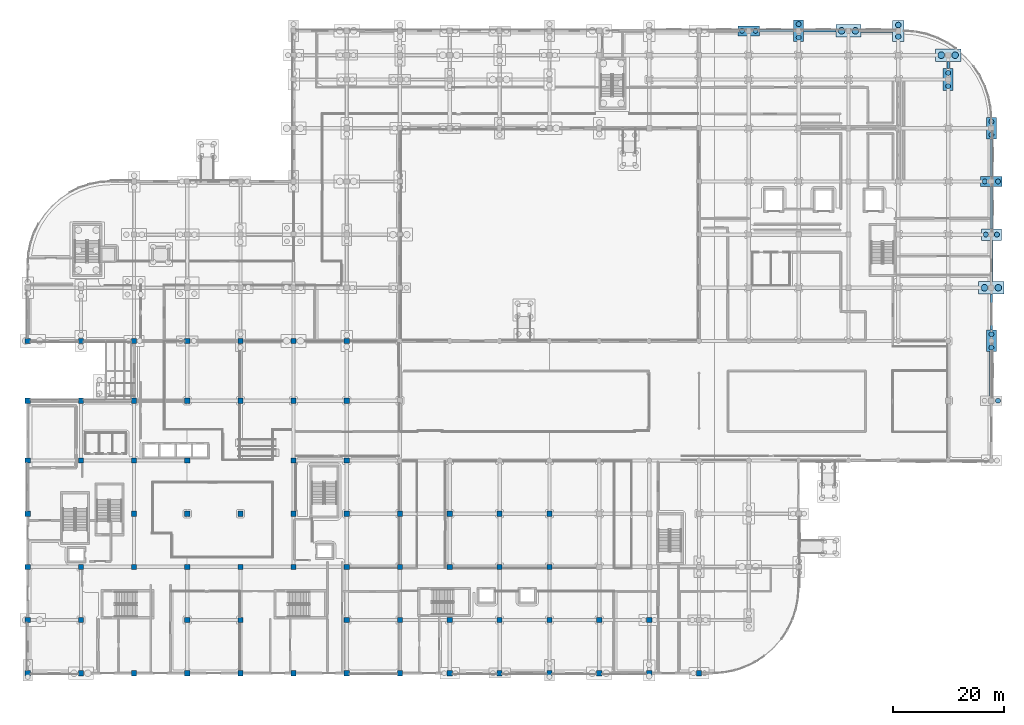
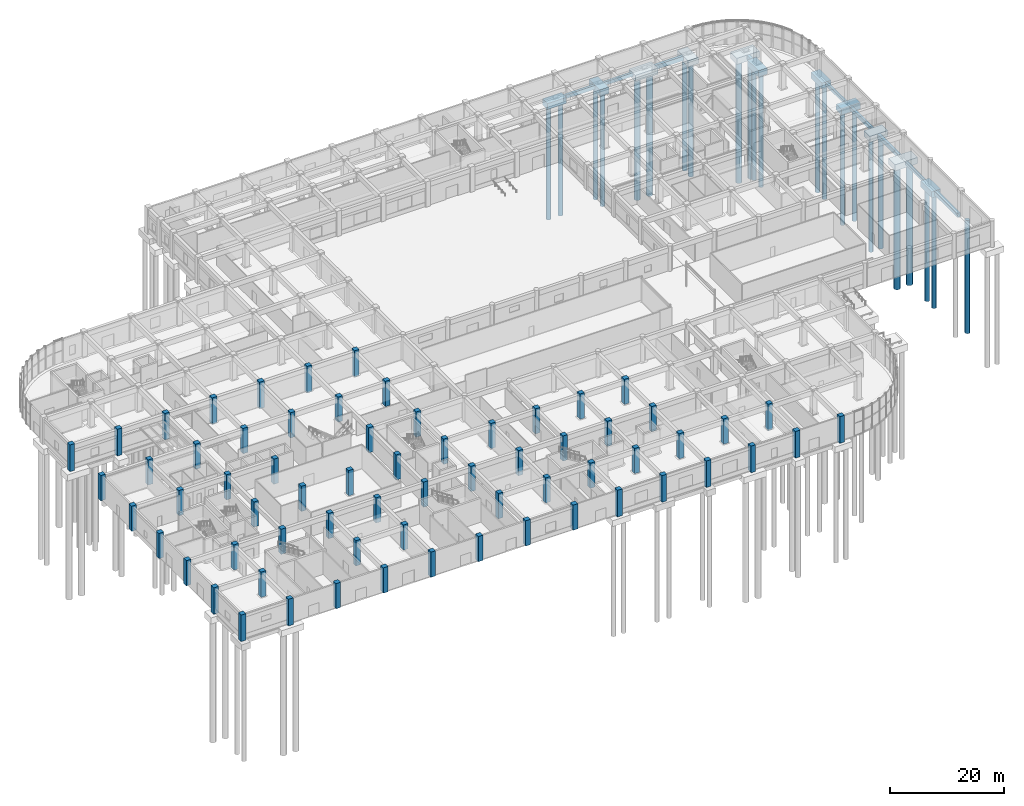
# One storey, part 5 of 74: 66 columns, 23 piles, 20 footings.
"""IFC4 building model written with IfcOpenShell, lengths in metres."""

from ifc_helpers import new_model, si_unit, direction, frame, origin, origin_2d, place, context, subcontext, project, spatial, rectangle, circle, extrude, material, material_profile, profile_set, type_object, element, save


model = new_model("IFC4")

# Units and contexts
model_context = context("Model", 3, precision=1e-05, world=origin(), true_north=direction((0.0, 1.0)))
body_context = subcontext(model_context, "Body", "Model", "MODEL_VIEW")
ifc_project = project(units=[si_unit("LENGTHUNIT", "METRE"), si_unit("AREAUNIT", "SQUARE_METRE"), si_unit("VOLUMEUNIT", "CUBIC_METRE"), si_unit("PLANEANGLEUNIT", "RADIAN"), si_unit("MASSUNIT", "GRAM", prefix="KILO")], contexts=[model_context])

# Site, building, storey
site_placement = place(None, origin())
site = spatial("IfcSite", under=ifc_project, at=site_placement, CompositionType="ELEMENT")
building_placement = place(site_placement, origin())
building = spatial("IfcBuilding", under=site, at=building_placement, Name="Cendralis Terraced Arcade", CompositionType="ELEMENT")
storey_placement = place(building_placement, origin())
storey = spatial("IfcBuildingStorey", under=building, at=storey_placement, Name="L00", CompositionType="ELEMENT", Elevation=0.0)

# Footings
ifc_material_1 = material(Name="Concrete f'c 35 MPa", Category="concrete")
ifc_material_profile_1 = material_profile(ifc_material_1, rectangle(XDim=0.39990234375, YDim=0.699951171875, at=origin_2d()), Name="FB-400x700", Category="LoadBearing")
ifc_profile_set_1 = profile_set([ifc_material_profile_1], Name="Concrete f'c 35 MPa")
footing_type_1 = type_object("IfcFootingType", Name="FB-400x700", PredefinedType="FOOTING_BEAM", material=ifc_profile_set_1)
footing_1_placement = place(storey_placement, frame((174.0, 61.949951171875, -0.64990234375), z_axis=(0.0, 1.0, 0.0), x_axis=(-1.0, 0.0, 0.0)))
element("IfcFooting", 1, at=footing_1_placement, inside=storey, type_object=footing_type_1, Name="Reinforced Concrete Foundation Tie Beam FB-Y-0279", PredefinedType="FOOTING_BEAM", context=body_context, shape_type="SweptSolid", body=[
    extrude(rectangle(XDim=0.39990234375, YDim=0.699951171875, at=origin_2d()), origin(), (0.0, 0.0, 1.0), 6.5),
])
ifc_material_profile_2 = material_profile(ifc_material_1, rectangle(XDim=0.449951171875, YDim=0.75, at=origin_2d()), Name="FB-450x750", Category="LoadBearing")
ifc_profile_set_2 = profile_set([ifc_material_profile_2], Name="Concrete f'c 35 MPa")
footing_type_2 = type_object("IfcFootingType", Name="FB-450x750", PredefinedType="FOOTING_BEAM", material=ifc_profile_set_2)
footing_2_placement = place(storey_placement, frame((140.10009765625, 116.0, -0.675048828125), z_axis=(1.0, 0.0, 0.0), x_axis=(0.0, 1.0, 0.0)))
element("IfcFooting", 2, at=footing_2_placement, inside=storey, type_object=footing_type_2, Name="Reinforced Concrete Foundation Tie Beam FB-X-0152", PredefinedType="FOOTING_BEAM", context=body_context, shape_type="SweptSolid", body=[
    extrude(rectangle(XDim=0.449951171875, YDim=0.75, at=origin_2d()), origin(), (0.0, 0.0, 1.0), 5.81982421875),
])
footing_3_placement = place(storey_placement, frame((174.0, 89.699951171875, -0.675048828125), z_axis=(0.0, 1.0, 0.0), x_axis=(-1.0, 0.0, 0.0)))
element("IfcFooting", 3, at=footing_3_placement, inside=storey, type_object=footing_type_2, Name="Reinforced Concrete Foundation Tie Beam FB-Y-0282", PredefinedType="FOOTING_BEAM", context=body_context, shape_type="SweptSolid", body=[
    extrude(rectangle(XDim=0.449951171875, YDim=0.75, at=origin_2d()), origin(), (0.0, 0.0, 1.0), 6.75),
])
ifc_material_profile_3 = material_profile(ifc_material_1, rectangle(XDim=0.5, YDim=0.800048828125, at=origin_2d()), Name="FB-500x800", Category="LoadBearing")
ifc_profile_set_3 = profile_set([ifc_material_profile_3], Name="Concrete f'c 35 MPa")
footing_type_3 = type_object("IfcFootingType", Name="FB-500x800", PredefinedType="FOOTING_BEAM", material=ifc_profile_set_3)
footing_4_placement = place(storey_placement, frame((132.14990234375, 116.0, -0.699951171875), z_axis=(1.0, 0.0, 0.0), x_axis=(0.0, 1.0, 0.0)))
element("IfcFooting", 4, at=footing_4_placement, inside=storey, type_object=footing_type_3, Name="Reinforced Concrete Foundation Tie Beam FB-X-0151", PredefinedType="FOOTING_BEAM", context=body_context, shape_type="SweptSolid", body=[
    extrude(rectangle(XDim=0.5, YDim=0.800048828125, at=origin_2d()), origin(), (0.0, 0.0, 1.0), 6.150146484375),
])
footing_5_placement = place(storey_placement, frame((166.199951171875, 109.14990234375, -0.699951171875), z_axis=(0.0, 1.0, 0.0), x_axis=(-1.0, 0.0, 0.0)))
element("IfcFooting", 5, at=footing_5_placement, inside=storey, type_object=footing_type_3, Name="Reinforced Concrete Foundation Tie Beam FB-Y-0276", PredefinedType="FOOTING_BEAM", context=body_context, shape_type="SweptSolid", body=[
    extrude(rectangle(XDim=0.5, YDim=0.800048828125, at=origin_2d()), origin(), (0.0, 0.0, 1.0), 1.300048828125),
])
footing_6_placement = place(storey_placement, frame((174.0, 80.22509765625, -0.699951171875), z_axis=(0.0, 1.0, 0.0), x_axis=(-1.0, 0.0, 0.0)))
element("IfcFooting", 6, at=footing_6_placement, inside=storey, type_object=footing_type_3, Name="Reinforced Concrete Foundation Tie Beam FB-Y-0281", PredefinedType="FOOTING_BEAM", context=body_context, shape_type="SweptSolid", body=[
    extrude(rectangle(XDim=0.5, YDim=0.800048828125, at=origin_2d()), origin(), (0.0, 0.0, 1.0), 7.6748046875),
])
ifc_material_profile_4 = material_profile(ifc_material_1, rectangle(XDim=0.550048828125, YDim=0.85009765625, at=origin_2d()), Name="FB-550x850", Category="LoadBearing")
ifc_profile_set_4 = profile_set([ifc_material_profile_4], Name="Concrete f'c 35 MPa")
footing_type_4 = type_object("IfcFootingType", Name="FB-550x850", PredefinedType="FOOTING_BEAM", material=ifc_profile_set_4)
footing_7_placement = place(storey_placement, frame((174.0, 70.75, -0.72509765625), z_axis=(0.0, 1.0, 0.0), x_axis=(-1.0, 0.0, 0.0)))
element("IfcFooting", 7, at=footing_7_placement, inside=storey, type_object=footing_type_4, Name="Reinforced Concrete Foundation Tie Beam FB-Y-0280", PredefinedType="FOOTING_BEAM", context=body_context, shape_type="SweptSolid", body=[
    extrude(rectangle(XDim=0.550048828125, YDim=0.85009765625, at=origin_2d()), origin(), (0.0, 0.0, 1.0), 7.425048828125),
])
ifc_material_profile_5 = material_profile(ifc_material_1, rectangle(XDim=0.60009765625, YDim=0.89990234375, at=origin_2d()), Name="FB-600x900", Category="LoadBearing")
ifc_profile_set_5 = profile_set([ifc_material_profile_5], Name="Concrete f'c 35 MPa")
footing_type_5 = type_object("IfcFootingType", Name="FB-600x900", PredefinedType="FOOTING_BEAM", material=ifc_profile_set_5)
footing_8_placement = place(storey_placement, frame((150.47998046875, 116.0, -0.75), z_axis=(1.0, 0.0, 0.0), x_axis=(0.0, 1.0, 0.0)))
element("IfcFooting", 8, at=footing_8_placement, inside=storey, type_object=footing_type_5, Name="Reinforced Concrete Foundation Tie Beam FB-X-0153", PredefinedType="FOOTING_BEAM", context=body_context, shape_type="SweptSolid", body=[
    extrude(rectangle(XDim=0.60009765625, YDim=0.89990234375, at=origin_2d()), origin(), (0.0, 0.0, 1.0), 5.695068359375),
])
footing_9_placement = place(storey_placement, frame((174.0, 50.10009765625, -0.75), z_axis=(0.0, 1.0, 0.0), x_axis=(-1.0, 0.0, 0.0)))
element("IfcFooting", 9, at=footing_9_placement, inside=storey, type_object=footing_type_5, Name="Reinforced Concrete Foundation Tie Beam FB-Y-0278", PredefinedType="FOOTING_BEAM", context=body_context, shape_type="SweptSolid", body=[
    extrude(rectangle(XDim=0.60009765625, YDim=0.89990234375, at=origin_2d()), origin(), (0.0, 0.0, 1.0), 7.949951171875),
])
footing_type_6 = type_object("IfcFootingType", Name="PC-2P-1800x3900x1300", PredefinedType="PILE_CAP", material=ifc_material_1)
for number, where, z_axis, x_axis, name in (
    (10, (139.199951171875, 116.0, -1.60009765625), (0.0, 0.0, 1.0), (1.0, 0.0, 0.0), "Reinforced Concrete Bored Pile Cap CAP-G16-P"),
    (11, (166.199951171875, 107.199951171875, -1.60009765625), (0.0, 0.0, 1.0), (1.0, 0.0, 0.0), "Reinforced Concrete Bored Pile Cap CAP-G19-M"),
    (12, (174.0, 60.0, -1.60009765625), (0.0, 0.0, 1.0), (1.0, 0.0, 0.0), "Reinforced Concrete Bored Pile Cap CAP-G20-G"),
    (13, (174.0, 98.39990234375, -1.60009765625), (0.0, 0.0, 1.0), (1.0, 0.0, 0.0), "Reinforced Concrete Bored Pile Cap CAP-G20-L"),
):
    element("IfcFooting", number, at=place(storey_placement, frame(where, z_axis=z_axis, x_axis=x_axis)), inside=storey, type_object=footing_type_6, Name=name, PredefinedType="PILE_CAP", context=body_context, shape_type="SweptSolid", body=[
        extrude(rectangle(XDim=1.800048828125, YDim=3.89990234375, at=origin_2d()), origin(), (0.0, 0.0, 1.0), 1.300048828125),
    ])
footing_type_7 = type_object("IfcFootingType", Name="PC-2P-2050x3800x1280", PredefinedType="PILE_CAP", material=ifc_material_1)
footing_10_placement = place(storey_placement, frame((157.199951171875, 116.0, -1.580078125), z_axis=(0.0, 0.0, 1.0), x_axis=(1.0, 0.0, 0.0)))
element("IfcFooting", 14, at=footing_10_placement, inside=storey, type_object=footing_type_7, Name="Reinforced Concrete Bored Pile Cap CAP-G18-P", PredefinedType="PILE_CAP", context=body_context, shape_type="SweptSolid", body=[
    extrude(rectangle(XDim=2.050048828125, YDim=3.800048828125, at=origin_2d()), origin(), (0.0, 0.0, 1.0), 1.280029296875),
])
footing_type_8 = type_object("IfcFootingType", Name="PC-2P-3600x2050x1260", PredefinedType="PILE_CAP", material=ifc_material_1)
footing_11_placement = place(storey_placement, frame((174.0, 79.199951171875, -1.56005859375), z_axis=(0.0, 0.0, 1.0), x_axis=(1.0, 0.0, 0.0)))
element("IfcFooting", 15, at=footing_11_placement, inside=storey, type_object=footing_type_8, Name="Reinforced Concrete Bored Pile Cap CAP-G20-J", PredefinedType="PILE_CAP", context=body_context, shape_type="SweptSolid", body=[
    extrude(rectangle(XDim=3.60009765625, YDim=2.050048828125, at=origin_2d()), origin(), (0.0, 0.0, 1.0), 1.260009765625),
])
footing_type_9 = type_object("IfcFootingType", Name="PC-2P-3900x1800x1300", PredefinedType="PILE_CAP", material=ifc_material_1)
for number, where, z_axis, x_axis, name in (
    (16, (130.199951171875, 116.0, -1.60009765625), (0.0, 0.0, 1.0), (1.0, 0.0, 0.0), "Reinforced Concrete Bored Pile Cap CAP-G15-P"),
    (17, (174.0, 88.800048828125, -1.60009765625), (0.0, 0.0, 1.0), (1.0, 0.0, 0.0), "Reinforced Concrete Bored Pile Cap CAP-G20-K"),
):
    element("IfcFooting", number, at=place(storey_placement, frame(where, z_axis=z_axis, x_axis=x_axis)), inside=storey, type_object=footing_type_9, Name=name, PredefinedType="PILE_CAP", context=body_context, shape_type="SweptSolid", body=[
        extrude(rectangle(XDim=3.89990234375, YDim=1.800048828125, at=origin_2d()), origin(), (0.0, 0.0, 1.0), 1.300048828125),
    ])
footing_type_10 = type_object("IfcFootingType", Name="PC-2P-4560x2300x1320", PredefinedType="PILE_CAP", material=ifc_material_1)
for number, where, z_axis, x_axis, name in (
    (18, (148.199951171875, 116.0, -1.6201171875), (0.0, 0.0, 1.0), (1.0, 0.0, 0.0), "Reinforced Concrete Bored Pile Cap CAP-G17-P"),
    (19, (166.199951171875, 111.60009765625, -1.6201171875), (0.0, 0.0, 1.0), (1.0, 0.0, 0.0), "Reinforced Concrete Bored Pile Cap CAP-G19-N"),
    (20, (174.0, 69.60009765625, -1.6201171875), (0.0, 0.0, 1.0), (1.0, 0.0, 0.0), "Reinforced Concrete Bored Pile Cap CAP-G20-H"),
):
    element("IfcFooting", number, at=place(storey_placement, frame(where, z_axis=z_axis, x_axis=x_axis)), inside=storey, type_object=footing_type_10, Name=name, PredefinedType="PILE_CAP", context=body_context, shape_type="SweptSolid", body=[
        extrude(rectangle(XDim=4.56005859375, YDim=2.300048828125, at=origin_2d()), origin(), (0.0, 0.0, 1.0), 1.320068359375),
    ])

# Piles
ifc_material_profile_6 = material_profile(ifc_material_1, circle(Radius=0.5, at=origin_2d()), Name="PILE-D1000", Category="LoadBearing")
ifc_profile_set_6 = profile_set([ifc_material_profile_6], Name="Concrete f'c 35 MPa")
pile_type_1 = type_object("IfcPileType", Name="PILE-1000", PredefinedType="BORED", material=ifc_profile_set_6)
for number, where, z_axis, x_axis, name in (
    (21, (157.199951171875, 114.949951171875, -1.47998046875), (0.0, 0.0, -1.0), (1.0, 0.0, 0.0), "Bored Concrete Pile PILE-C-CAP-G18-P-1-0_-105"),
    (22, (157.199951171875, 117.050048828125, -1.47998046875), (0.0, 0.0, -1.0), (1.0, 0.0, 0.0), "Bored Concrete Pile PILE-B-CAP-G18-P-1"),
):
    element("IfcPile", number, at=place(storey_placement, frame(where, z_axis=z_axis, x_axis=x_axis)), inside=storey, type_object=pile_type_1, Name=name, PredefinedType="BORED", context=body_context, shape_type="SweptSolid", body=[
        extrude(circle(Radius=0.5, at=origin_2d()), origin(), (0.0, 0.0, 1.0), 24.219970703125),
    ])
ifc_material_profile_7 = material_profile(ifc_material_1, circle(Radius=0.60009765625, at=origin_2d()), Name="PILE-D1200", Category="LoadBearing")
ifc_profile_set_7 = profile_set([ifc_material_profile_7], Name="Concrete f'c 35 MPa")
pile_type_2 = type_object("IfcPileType", Name="PILE-1200", PredefinedType="BORED", material=ifc_profile_set_7)
for number, where, z_axis, x_axis, name in (
    (23, (146.949951171875, 116.0, -1.52001953125), (0.0, 0.0, -1.0), (1.0, 0.0, 0.0), "Bored Concrete Pile PILE-C-CAP-G17-P-1--125_0"),
    (24, (149.449951171875, 116.0, -1.52001953125), (0.0, 0.0, -1.0), (1.0, 0.0, 0.0), "Bored Concrete Pile PILE-B-CAP-G17-P-1"),
    (25, (164.949951171875, 111.60009765625, -1.52001953125), (0.0, 0.0, -1.0), (1.0, 0.0, 0.0), "Bored Concrete Pile PILE-C-CAP-G19-N-1--125_0"),
    (26, (167.449951171875, 111.60009765625, -1.52001953125), (0.0, 0.0, -1.0), (1.0, 0.0, 0.0), "Bored Concrete Pile PILE-B-CAP-G19-N-1"),
    (27, (172.75, 69.60009765625, -1.52001953125), (0.0, 0.0, -1.0), (1.0, 0.0, 0.0), "Bored Concrete Pile PILE-C-CAP-G20-H-1--125_0"),
    (28, (175.25, 69.60009765625, -1.52001953125), (0.0, 0.0, -1.0), (1.0, 0.0, 0.0), "Bored Concrete Pile PILE-B-CAP-G20-H-1"),
):
    element("IfcPile", number, at=place(storey_placement, frame(where, z_axis=z_axis, x_axis=x_axis)), inside=storey, type_object=pile_type_2, Name=name, PredefinedType="BORED", context=body_context, shape_type="SweptSolid", body=[
        extrude(circle(Radius=0.60009765625, at=origin_2d()), origin(), (0.0, 0.0, 1.0), 26.179931640625),
    ])
ifc_material_profile_8 = material_profile(ifc_material_1, circle(Radius=0.449951171875, at=origin_2d()), Name="PILE-D900", Category="LoadBearing")
ifc_profile_set_8 = profile_set([ifc_material_profile_8], Name="Concrete f'c 35 MPa")
pile_type_3 = type_object("IfcPileType", Name="PILE-900", PredefinedType="BORED", material=ifc_profile_set_8)
for number, where, z_axis, x_axis, name in (
    (29, (129.0, 116.0, -1.5), (0.0, 0.0, -1.0), (1.0, 0.0, 0.0), "Bored Concrete Pile PILE-C-CAP-G15-P-2--120_0"),
    (30, (131.39990234375, 116.0, -1.5), (0.0, 0.0, -1.0), (1.0, 0.0, 0.0), "Bored Concrete Pile PILE-C-CAP-G15-P-2-120_0"),
    (31, (139.199951171875, 114.800048828125, -1.5), (0.0, 0.0, -1.0), (1.0, 0.0, 0.0), "Bored Concrete Pile PILE-C-CAP-G16-P-2-0_-120"),
    (32, (139.199951171875, 117.199951171875, -1.5), (0.0, 0.0, -1.0), (1.0, 0.0, 0.0), "Bored Concrete Pile PILE-C-CAP-G16-P-2-0_120"),
    (33, (166.199951171875, 106.0, -1.5), (0.0, 0.0, -1.0), (1.0, 0.0, 0.0), "Bored Concrete Pile PILE-C-CAP-G19-M-2-0_-120"),
    (34, (166.199951171875, 108.39990234375, -1.5), (0.0, 0.0, -1.0), (1.0, 0.0, 0.0), "Bored Concrete Pile PILE-C-CAP-G19-M-2-0_120"),
    (35, (175.199951171875, 49.199951171875, -1.5), (0.0, 0.0, -1.0), (1.0, 0.0, 0.0), "Bored Concrete Pile PILE-C-CAP-G20-F-2-120_0"),
    (36, (174.0, 58.800048828125, -1.5), (0.0, 0.0, -1.0), (1.0, 0.0, 0.0), "Bored Concrete Pile PILE-C-CAP-G20-G-2-0_-120"),
    (37, (174.0, 61.199951171875, -1.5), (0.0, 0.0, -1.0), (1.0, 0.0, 0.0), "Bored Concrete Pile PILE-C-CAP-G20-G-2-0_120"),
):
    element("IfcPile", number, at=place(storey_placement, frame(where, z_axis=z_axis, x_axis=x_axis)), inside=storey, type_object=pile_type_3, Name=name, PredefinedType="BORED", context=body_context, shape_type="SweptSolid", body=[
        extrude(circle(Radius=0.449951171875, at=origin_2d()), origin(), (0.0, 0.0, 1.0), 24.199951171875),
    ])
for number, where, z_axis, x_axis, name in (
    (38, (173.0, 79.199951171875, -1.4599609375), (0.0, 0.0, -1.0), (1.0, 0.0, 0.0), "Bored Concrete Pile PILE-C-CAP-G20-J-1--100_0"),
    (39, (175.0, 79.199951171875, -1.4599609375), (0.0, 0.0, -1.0), (1.0, 0.0, 0.0), "Bored Concrete Pile PILE-B-CAP-G20-J-1"),
):
    element("IfcPile", number, at=place(storey_placement, frame(where, z_axis=z_axis, x_axis=x_axis)), inside=storey, type_object=pile_type_3, Name=name, PredefinedType="BORED", context=body_context, shape_type="SweptSolid", body=[
        extrude(circle(Radius=0.449951171875, at=origin_2d()), origin(), (0.0, 0.0, 1.0), 24.239990234375),
    ])
for number, where, z_axis, x_axis, name in (
    (40, (172.800048828125, 88.800048828125, -1.5), (0.0, 0.0, -1.0), (1.0, 0.0, 0.0), "Bored Concrete Pile PILE-C-CAP-G20-K-2--120_0"),
    (41, (175.199951171875, 88.800048828125, -1.5), (0.0, 0.0, -1.0), (1.0, 0.0, 0.0), "Bored Concrete Pile PILE-C-CAP-G20-K-2-120_0"),
    (42, (174.0, 97.199951171875, -1.5), (0.0, 0.0, -1.0), (1.0, 0.0, 0.0), "Bored Concrete Pile PILE-C-CAP-G20-L-2-0_-120"),
    (43, (174.0, 99.60009765625, -1.5), (0.0, 0.0, -1.0), (1.0, 0.0, 0.0), "Bored Concrete Pile PILE-C-CAP-G20-L-2-0_120"),
):
    element("IfcPile", number, at=place(storey_placement, frame(where, z_axis=z_axis, x_axis=x_axis)), inside=storey, type_object=pile_type_3, Name=name, PredefinedType="BORED", context=body_context, shape_type="SweptSolid", body=[
        extrude(circle(Radius=0.449951171875, at=origin_2d()), origin(), (0.0, 0.0, 1.0), 24.199951171875),
    ])

# Columns
ifc_material_2 = material(Name="Concrete f'c 42 MPa", Category="concrete")
ifc_material_profile_9 = material_profile(ifc_material_2, rectangle(XDim=0.949951171875, YDim=0.949951171875, at=origin_2d()), Name="RC-COL-950x950", Category="LoadBearing")
ifc_profile_set_9 = profile_set([ifc_material_profile_9], Name="Concrete f'c 42 MPa")
column_type = type_object("IfcColumnType", Name="COL-950", PredefinedType="COLUMN", material=ifc_profile_set_9)
for number, where, z_axis, x_axis, name in (
    (44, (0.0, 0.0, -0.300048828125), (0.0, 0.0, 1.0), (1.0, 0.0, 0.0), "Reinforced Concrete Column 1-A (L00)"),
    (45, (0.0, 9.60009765625, -0.300048828125), (0.0, 0.0, 1.0), (1.0, 0.0, 0.0), "Reinforced Concrete Column 1-B (L00)"),
):
    element("IfcColumn", number, at=place(storey_placement, frame(where, z_axis=z_axis, x_axis=x_axis)), inside=storey, type_object=column_type, Name=name, PredefinedType="COLUMN", context=body_context, shape_type="SweptSolid", body=[
        extrude(rectangle(XDim=0.949951171875, YDim=0.949951171875, at=origin_2d()), origin(), (0.0, 0.0, 1.0), 5.699951171875),
    ])
for number, where, z_axis, x_axis, name in (
    (46, (0.0, 19.199951171875, 0.0), (0.0, 0.0, 1.0), (1.0, 0.0, 0.0), "Reinforced Concrete Column 1-C (L00)"),
    (47, (0.0, 28.800048828125, 0.0), (0.0, 0.0, 1.0), (1.0, 0.0, 0.0), "Reinforced Concrete Column 1-D (L00)"),
    (48, (0.0, 38.39990234375, 0.0), (0.0, 0.0, 1.0), (1.0, 0.0, 0.0), "Reinforced Concrete Column 1-E (L00)"),
    (49, (0.0, 49.199951171875, 0.0), (0.0, 0.0, 1.0), (1.0, 0.0, 0.0), "Reinforced Concrete Column 1-F (L00)"),
):
    element("IfcColumn", number, at=place(storey_placement, frame(where, z_axis=z_axis, x_axis=x_axis)), inside=storey, type_object=column_type, Name=name, PredefinedType="COLUMN", context=body_context, shape_type="SweptSolid", body=[
        extrude(rectangle(XDim=0.949951171875, YDim=0.949951171875, at=origin_2d()), origin(), (0.0, 0.0, 1.0), 5.39990234375),
    ])
for number, where, z_axis, x_axis, name in (
    (50, (0.0, 60.0, -0.300048828125), (0.0, 0.0, 1.0), (1.0, 0.0, 0.0), "Reinforced Concrete Column 1-G (L00)"),
    (51, (85.199951171875, 0.0, -0.300048828125), (0.0, 0.0, 1.0), (1.0, 0.0, 0.0), "Reinforced Concrete Column 10-A (L00)"),
):
    element("IfcColumn", number, at=place(storey_placement, frame(where, z_axis=z_axis, x_axis=x_axis)), inside=storey, type_object=column_type, Name=name, PredefinedType="COLUMN", context=body_context, shape_type="SweptSolid", body=[
        extrude(rectangle(XDim=0.949951171875, YDim=0.949951171875, at=origin_2d()), origin(), (0.0, 0.0, 1.0), 5.699951171875),
    ])
for number, where, z_axis, x_axis, name in (
    (52, (85.199951171875, 9.60009765625, 0.0), (0.0, 0.0, 1.0), (1.0, 0.0, 0.0), "Reinforced Concrete Column 10-B (L00)"),
    (53, (85.199951171875, 19.199951171875, 0.0), (0.0, 0.0, 1.0), (1.0, 0.0, 0.0), "Reinforced Concrete Column 10-C (L00)"),
    (54, (85.199951171875, 28.800048828125, 0.0), (0.0, 0.0, 1.0), (1.0, 0.0, 0.0), "Reinforced Concrete Column 10-D (L00)"),
):
    element("IfcColumn", number, at=place(storey_placement, frame(where, z_axis=z_axis, x_axis=x_axis)), inside=storey, type_object=column_type, Name=name, PredefinedType="COLUMN", context=body_context, shape_type="SweptSolid", body=[
        extrude(rectangle(XDim=0.949951171875, YDim=0.949951171875, at=origin_2d()), origin(), (0.0, 0.0, 1.0), 5.39990234375),
    ])
column_1_placement = place(storey_placement, frame((94.199951171875, 0.0, -0.300048828125), z_axis=(0.0, 0.0, 1.0), x_axis=(1.0, 0.0, 0.0)))
element("IfcColumn", 55, at=column_1_placement, inside=storey, type_object=column_type, Name="Reinforced Concrete Column 11-A (L00)", PredefinedType="COLUMN", context=body_context, shape_type="SweptSolid", body=[
    extrude(rectangle(XDim=0.949951171875, YDim=0.949951171875, at=origin_2d()), origin(), (0.0, 0.0, 1.0), 5.699951171875),
])
for number, where, z_axis, x_axis, name in (
    (56, (94.199951171875, 9.60009765625, 0.0), (0.0, 0.0, 1.0), (1.0, 0.0, 0.0), "Reinforced Concrete Column 11-B (L00)"),
    (57, (94.199951171875, 19.199951171875, 0.0), (0.0, 0.0, 1.0), (1.0, 0.0, 0.0), "Reinforced Concrete Column 11-C (L00)"),
    (58, (94.199951171875, 28.800048828125, 0.0), (0.0, 0.0, 1.0), (1.0, 0.0, 0.0), "Reinforced Concrete Column 11-D (L00)"),
):
    element("IfcColumn", number, at=place(storey_placement, frame(where, z_axis=z_axis, x_axis=x_axis)), inside=storey, type_object=column_type, Name=name, PredefinedType="COLUMN", context=body_context, shape_type="SweptSolid", body=[
        extrude(rectangle(XDim=0.949951171875, YDim=0.949951171875, at=origin_2d()), origin(), (0.0, 0.0, 1.0), 5.39990234375),
    ])
column_2_placement = place(storey_placement, frame((103.199951171875, 0.0, -0.300048828125), z_axis=(0.0, 0.0, 1.0), x_axis=(1.0, 0.0, 0.0)))
element("IfcColumn", 59, at=column_2_placement, inside=storey, type_object=column_type, Name="Reinforced Concrete Column 12-A (L00)", PredefinedType="COLUMN", context=body_context, shape_type="SweptSolid", body=[
    extrude(rectangle(XDim=0.949951171875, YDim=0.949951171875, at=origin_2d()), origin(), (0.0, 0.0, 1.0), 5.699951171875),
])
column_3_placement = place(storey_placement, frame((103.199951171875, 9.60009765625, 0.0), z_axis=(0.0, 0.0, 1.0), x_axis=(1.0, 0.0, 0.0)))
element("IfcColumn", 60, at=column_3_placement, inside=storey, type_object=column_type, Name="Reinforced Concrete Column 12-B (L00)", PredefinedType="COLUMN", context=body_context, shape_type="SweptSolid", body=[
    extrude(rectangle(XDim=0.949951171875, YDim=0.949951171875, at=origin_2d()), origin(), (0.0, 0.0, 1.0), 5.39990234375),
])
for number, where, z_axis, x_axis, name in (
    (61, (112.199951171875, 0.0, -0.300048828125), (0.0, 0.0, 1.0), (1.0, 0.0, 0.0), "Reinforced Concrete Column 13-A (L00)"),
    (62, (112.199951171875, 9.60009765625, -0.300048828125), (0.0, 0.0, 1.0), (1.0, 0.0, 0.0), "Reinforced Concrete Column 13-B (L00)"),
    (63, (121.199951171875, 0.0, -0.300048828125), (0.0, 0.0, 1.0), (1.0, 0.0, 0.0), "Reinforced Concrete Column 14-A (L00)"),
    (64, (9.60009765625, 0.0, -0.300048828125), (0.0, 0.0, 1.0), (1.0, 0.0, 0.0), "Reinforced Concrete Column 2-A (L00)"),
):
    element("IfcColumn", number, at=place(storey_placement, frame(where, z_axis=z_axis, x_axis=x_axis)), inside=storey, type_object=column_type, Name=name, PredefinedType="COLUMN", context=body_context, shape_type="SweptSolid", body=[
        extrude(rectangle(XDim=0.949951171875, YDim=0.949951171875, at=origin_2d()), origin(), (0.0, 0.0, 1.0), 5.699951171875),
    ])
for number, where, z_axis, x_axis, name in (
    (65, (9.60009765625, 9.60009765625, 0.0), (0.0, 0.0, 1.0), (1.0, 0.0, 0.0), "Reinforced Concrete Column 2-B (L00)"),
    (66, (9.60009765625, 19.199951171875, 0.0), (0.0, 0.0, 1.0), (1.0, 0.0, 0.0), "Reinforced Concrete Column 2-C (L00)"),
    (67, (9.60009765625, 38.39990234375, 0.0), (0.0, 0.0, 1.0), (1.0, 0.0, 0.0), "Reinforced Concrete Column 2-E (L00)"),
    (68, (9.60009765625, 49.199951171875, 0.0), (0.0, 0.0, 1.0), (1.0, 0.0, 0.0), "Reinforced Concrete Column 2-F (L00)"),
):
    element("IfcColumn", number, at=place(storey_placement, frame(where, z_axis=z_axis, x_axis=x_axis)), inside=storey, type_object=column_type, Name=name, PredefinedType="COLUMN", context=body_context, shape_type="SweptSolid", body=[
        extrude(rectangle(XDim=0.949951171875, YDim=0.949951171875, at=origin_2d()), origin(), (0.0, 0.0, 1.0), 5.39990234375),
    ])
column_4_placement = place(storey_placement, frame((9.60009765625, 60.0, -0.300048828125), z_axis=(0.0, 0.0, 1.0), x_axis=(1.0, 0.0, 0.0)))
element("IfcColumn", 69, at=column_4_placement, inside=storey, type_object=column_type, Name="Reinforced Concrete Column 2-G (L00)", PredefinedType="COLUMN", context=body_context, shape_type="SweptSolid", body=[
    extrude(rectangle(XDim=0.949951171875, YDim=0.949951171875, at=origin_2d()), origin(), (0.0, 0.0, 1.0), 5.699951171875),
])
for number, where, z_axis, x_axis, name in (
    (70, (19.199951171875, 0.0, 0.0), (0.0, 0.0, 1.0), (1.0, 0.0, 0.0), "Reinforced Concrete Column 3-A (L00)"),
    (71, (19.199951171875, 19.199951171875, 0.0), (0.0, 0.0, 1.0), (1.0, 0.0, 0.0), "Reinforced Concrete Column 3-C (L00)"),
    (72, (19.199951171875, 28.800048828125, 0.0), (0.0, 0.0, 1.0), (1.0, 0.0, 0.0), "Reinforced Concrete Column 3-D (L00)"),
    (73, (19.199951171875, 38.39990234375, 0.0), (0.0, 0.0, 1.0), (1.0, 0.0, 0.0), "Reinforced Concrete Column 3-E (L00)"),
    (74, (19.199951171875, 49.199951171875, 0.0), (0.0, 0.0, 1.0), (1.0, 0.0, 0.0), "Reinforced Concrete Column 3-F (L00)"),
):
    element("IfcColumn", number, at=place(storey_placement, frame(where, z_axis=z_axis, x_axis=x_axis)), inside=storey, type_object=column_type, Name=name, PredefinedType="COLUMN", context=body_context, shape_type="SweptSolid", body=[
        extrude(rectangle(XDim=0.949951171875, YDim=0.949951171875, at=origin_2d()), origin(), (0.0, 0.0, 1.0), 5.39990234375),
    ])
column_5_placement = place(storey_placement, frame((19.199951171875, 60.0, -0.300048828125), z_axis=(0.0, 0.0, 1.0), x_axis=(1.0, 0.0, 0.0)))
element("IfcColumn", 75, at=column_5_placement, inside=storey, type_object=column_type, Name="Reinforced Concrete Column 3-G (L00)", PredefinedType="COLUMN", context=body_context, shape_type="SweptSolid", body=[
    extrude(rectangle(XDim=0.949951171875, YDim=0.949951171875, at=origin_2d()), origin(), (0.0, 0.0, 1.0), 5.699951171875),
])
for number, where, z_axis, x_axis, name in (
    (76, (28.800048828125, 0.0, 0.0), (0.0, 0.0, 1.0), (1.0, 0.0, 0.0), "Reinforced Concrete Column 4-A (L00)"),
    (77, (28.800048828125, 9.60009765625, 0.0), (0.0, 0.0, 1.0), (1.0, 0.0, 0.0), "Reinforced Concrete Column 4-B (L00)"),
    (78, (28.800048828125, 19.199951171875, 0.0), (0.0, 0.0, 1.0), (1.0, 0.0, 0.0), "Reinforced Concrete Column 4-C (L00)"),
    (79, (28.800048828125, 28.800048828125, 0.0), (0.0, 0.0, 1.0), (1.0, 0.0, 0.0), "Reinforced Concrete Column 4-D (L00)"),
    (80, (28.800048828125, 38.39990234375, 0.0), (0.0, 0.0, 1.0), (1.0, 0.0, 0.0), "Reinforced Concrete Column 4-E (L00)"),
    (81, (28.800048828125, 49.199951171875, 0.0), (0.0, 0.0, 1.0), (1.0, 0.0, 0.0), "Reinforced Concrete Column 4-F (L00)"),
):
    element("IfcColumn", number, at=place(storey_placement, frame(where, z_axis=z_axis, x_axis=x_axis)), inside=storey, type_object=column_type, Name=name, PredefinedType="COLUMN", context=body_context, shape_type="SweptSolid", body=[
        extrude(rectangle(XDim=0.949951171875, YDim=0.949951171875, at=origin_2d()), origin(), (0.0, 0.0, 1.0), 5.39990234375),
    ])
column_6_placement = place(storey_placement, frame((28.800048828125, 60.0, -0.300048828125), z_axis=(0.0, 0.0, 1.0), x_axis=(1.0, 0.0, 0.0)))
element("IfcColumn", 82, at=column_6_placement, inside=storey, type_object=column_type, Name="Reinforced Concrete Column 4-G (L00)", PredefinedType="COLUMN", context=body_context, shape_type="SweptSolid", body=[
    extrude(rectangle(XDim=0.949951171875, YDim=0.949951171875, at=origin_2d()), origin(), (0.0, 0.0, 1.0), 5.699951171875),
])
for number, where, z_axis, x_axis, name in (
    (83, (38.39990234375, 0.0, 0.0), (0.0, 0.0, 1.0), (1.0, 0.0, 0.0), "Reinforced Concrete Column 5-A (L00)"),
    (84, (38.39990234375, 9.60009765625, 0.0), (0.0, 0.0, 1.0), (1.0, 0.0, 0.0), "Reinforced Concrete Column 5-B (L00)"),
    (85, (38.39990234375, 19.199951171875, 0.0), (0.0, 0.0, 1.0), (1.0, 0.0, 0.0), "Reinforced Concrete Column 5-C (L00)"),
    (86, (38.39990234375, 28.800048828125, 0.0), (0.0, 0.0, 1.0), (1.0, 0.0, 0.0), "Reinforced Concrete Column 5-D (L00)"),
    (87, (38.39990234375, 49.199951171875, 0.0), (0.0, 0.0, 1.0), (1.0, 0.0, 0.0), "Reinforced Concrete Column 5-F (L00)"),
):
    element("IfcColumn", number, at=place(storey_placement, frame(where, z_axis=z_axis, x_axis=x_axis)), inside=storey, type_object=column_type, Name=name, PredefinedType="COLUMN", context=body_context, shape_type="SweptSolid", body=[
        extrude(rectangle(XDim=0.949951171875, YDim=0.949951171875, at=origin_2d()), origin(), (0.0, 0.0, 1.0), 5.39990234375),
    ])
column_7_placement = place(storey_placement, frame((38.39990234375, 60.0, -0.300048828125), z_axis=(0.0, 0.0, 1.0), x_axis=(1.0, 0.0, 0.0)))
element("IfcColumn", 88, at=column_7_placement, inside=storey, type_object=column_type, Name="Reinforced Concrete Column 5-G (L00)", PredefinedType="COLUMN", context=body_context, shape_type="SweptSolid", body=[
    extrude(rectangle(XDim=0.949951171875, YDim=0.949951171875, at=origin_2d()), origin(), (0.0, 0.0, 1.0), 5.699951171875),
])
for number, where, z_axis, x_axis, name in (
    (89, (48.0, 0.0, 0.0), (0.0, 0.0, 1.0), (1.0, 0.0, 0.0), "Reinforced Concrete Column 6-A (L00)"),
    (90, (48.0, 19.199951171875, 0.0), (0.0, 0.0, 1.0), (1.0, 0.0, 0.0), "Reinforced Concrete Column 6-C (L00)"),
    (91, (48.0, 28.800048828125, 0.0), (0.0, 0.0, 1.0), (1.0, 0.0, 0.0), "Reinforced Concrete Column 6-D (L00)"),
    (92, (48.0, 38.39990234375, 0.0), (0.0, 0.0, 1.0), (1.0, 0.0, 0.0), "Reinforced Concrete Column 6-E (L00)"),
    (93, (48.0, 49.199951171875, 0.0), (0.0, 0.0, 1.0), (1.0, 0.0, 0.0), "Reinforced Concrete Column 6-F (L00)"),
):
    element("IfcColumn", number, at=place(storey_placement, frame(where, z_axis=z_axis, x_axis=x_axis)), inside=storey, type_object=column_type, Name=name, PredefinedType="COLUMN", context=body_context, shape_type="SweptSolid", body=[
        extrude(rectangle(XDim=0.949951171875, YDim=0.949951171875, at=origin_2d()), origin(), (0.0, 0.0, 1.0), 5.39990234375),
    ])
column_8_placement = place(storey_placement, frame((48.0, 60.0, -0.300048828125), z_axis=(0.0, 0.0, 1.0), x_axis=(1.0, 0.0, 0.0)))
element("IfcColumn", 94, at=column_8_placement, inside=storey, type_object=column_type, Name="Reinforced Concrete Column 6-G (L00)", PredefinedType="COLUMN", context=body_context, shape_type="SweptSolid", body=[
    extrude(rectangle(XDim=0.949951171875, YDim=0.949951171875, at=origin_2d()), origin(), (0.0, 0.0, 1.0), 5.699951171875),
])
for number, where, z_axis, x_axis, name in (
    (95, (57.60009765625, 0.0, 0.0), (0.0, 0.0, 1.0), (1.0, 0.0, 0.0), "Reinforced Concrete Column 7-A (L00)"),
    (96, (57.60009765625, 9.60009765625, 0.0), (0.0, 0.0, 1.0), (1.0, 0.0, 0.0), "Reinforced Concrete Column 7-B (L00)"),
    (97, (57.60009765625, 19.199951171875, 0.0), (0.0, 0.0, 1.0), (1.0, 0.0, 0.0), "Reinforced Concrete Column 7-C (L00)"),
    (98, (57.60009765625, 28.800048828125, 0.0), (0.0, 0.0, 1.0), (1.0, 0.0, 0.0), "Reinforced Concrete Column 7-D (L00)"),
    (99, (57.60009765625, 38.39990234375, 0.0), (0.0, 0.0, 1.0), (1.0, 0.0, 0.0), "Reinforced Concrete Column 7-E (L00)"),
    (100, (57.60009765625, 49.199951171875, 0.0), (0.0, 0.0, 1.0), (1.0, 0.0, 0.0), "Reinforced Concrete Column 7-F (L00)"),
):
    element("IfcColumn", number, at=place(storey_placement, frame(where, z_axis=z_axis, x_axis=x_axis)), inside=storey, type_object=column_type, Name=name, PredefinedType="COLUMN", context=body_context, shape_type="SweptSolid", body=[
        extrude(rectangle(XDim=0.949951171875, YDim=0.949951171875, at=origin_2d()), origin(), (0.0, 0.0, 1.0), 5.39990234375),
    ])
column_9_placement = place(storey_placement, frame((57.60009765625, 60.0, -0.300048828125), z_axis=(0.0, 0.0, 1.0), x_axis=(1.0, 0.0, 0.0)))
element("IfcColumn", 101, at=column_9_placement, inside=storey, type_object=column_type, Name="Reinforced Concrete Column 7-G (L00)", PredefinedType="COLUMN", context=body_context, shape_type="SweptSolid", body=[
    extrude(rectangle(XDim=0.949951171875, YDim=0.949951171875, at=origin_2d()), origin(), (0.0, 0.0, 1.0), 5.699951171875),
])
for number, where, z_axis, x_axis, name in (
    (102, (67.199951171875, 0.0, 0.0), (0.0, 0.0, 1.0), (1.0, 0.0, 0.0), "Reinforced Concrete Column 8-A (L00)"),
    (103, (67.199951171875, 9.60009765625, 0.0), (0.0, 0.0, 1.0), (1.0, 0.0, 0.0), "Reinforced Concrete Column 8-B (L00)"),
    (104, (67.199951171875, 19.199951171875, 0.0), (0.0, 0.0, 1.0), (1.0, 0.0, 0.0), "Reinforced Concrete Column 8-C (L00)"),
    (105, (67.199951171875, 28.800048828125, 0.0), (0.0, 0.0, 1.0), (1.0, 0.0, 0.0), "Reinforced Concrete Column 8-D (L00)"),
):
    element("IfcColumn", number, at=place(storey_placement, frame(where, z_axis=z_axis, x_axis=x_axis)), inside=storey, type_object=column_type, Name=name, PredefinedType="COLUMN", context=body_context, shape_type="SweptSolid", body=[
        extrude(rectangle(XDim=0.949951171875, YDim=0.949951171875, at=origin_2d()), origin(), (0.0, 0.0, 1.0), 5.39990234375),
    ])
column_10_placement = place(storey_placement, frame((76.199951171875, 0.0, -0.300048828125), z_axis=(0.0, 0.0, 1.0), x_axis=(1.0, 0.0, 0.0)))
element("IfcColumn", 106, at=column_10_placement, inside=storey, type_object=column_type, Name="Reinforced Concrete Column 9-A (L00)", PredefinedType="COLUMN", context=body_context, shape_type="SweptSolid", body=[
    extrude(rectangle(XDim=0.949951171875, YDim=0.949951171875, at=origin_2d()), origin(), (0.0, 0.0, 1.0), 5.699951171875),
])
for number, where, z_axis, x_axis, name in (
    (107, (76.199951171875, 9.60009765625, 0.0), (0.0, 0.0, 1.0), (1.0, 0.0, 0.0), "Reinforced Concrete Column 9-B (L00)"),
    (108, (76.199951171875, 19.199951171875, 0.0), (0.0, 0.0, 1.0), (1.0, 0.0, 0.0), "Reinforced Concrete Column 9-C (L00)"),
    (109, (76.199951171875, 28.800048828125, 0.0), (0.0, 0.0, 1.0), (1.0, 0.0, 0.0), "Reinforced Concrete Column 9-D (L00)"),
):
    element("IfcColumn", number, at=place(storey_placement, frame(where, z_axis=z_axis, x_axis=x_axis)), inside=storey, type_object=column_type, Name=name, PredefinedType="COLUMN", context=body_context, shape_type="SweptSolid", body=[
        extrude(rectangle(XDim=0.949951171875, YDim=0.949951171875, at=origin_2d()), origin(), (0.0, 0.0, 1.0), 5.39990234375),
    ])

save(model, "model.ifc")
